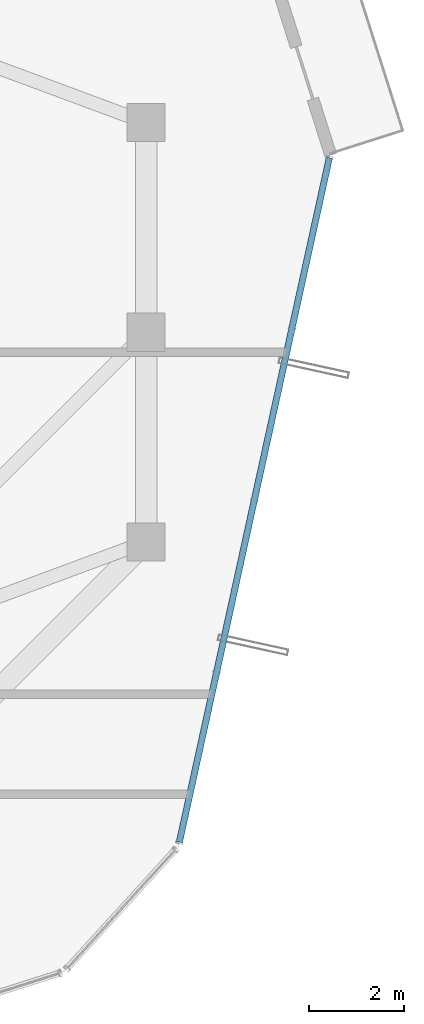
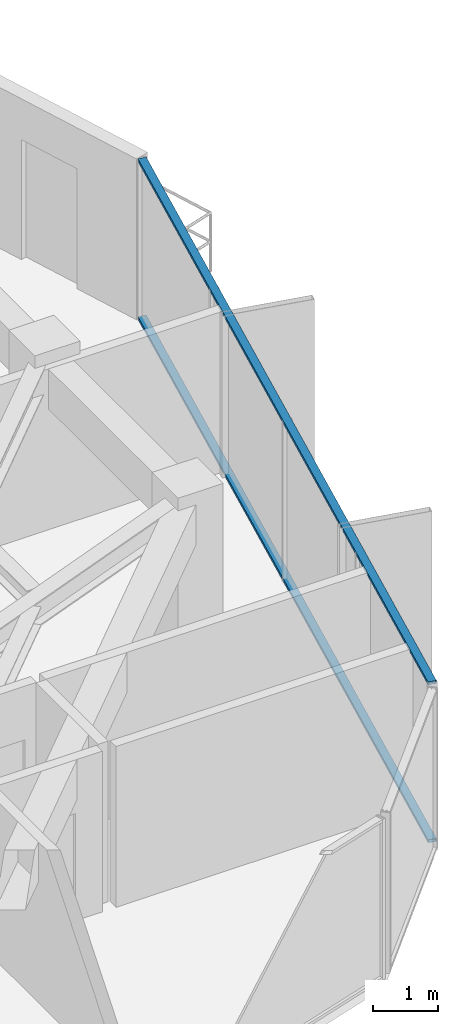
# One storey, part 18 of 28: 2 members, 1 element without a shape of its own.
"""IFC4 building model written with IfcOpenShell, lengths in metres."""

from ifc_helpers import new_model, si_unit, direction, frame, origin, origin_2d, place, context, subcontext, project, spatial, hollow_rectangle, extrude, source, transform, mapped, material, layer, layer_set, material_profile, profile_set, type_object, element, aggregate, save


model = new_model("IFC4")

# Units and contexts
model_context = context("Model", 3, precision=1e-05, world=origin(), true_north=direction((0.0, 1.0)))
body_context = subcontext(model_context, "Body", "Model", "MODEL_VIEW")
ifc_project = project(units=[si_unit("LENGTHUNIT", "METRE"), si_unit("AREAUNIT", "SQUARE_METRE"), si_unit("VOLUMEUNIT", "CUBIC_METRE"), si_unit("PLANEANGLEUNIT", "RADIAN"), si_unit("MASSUNIT", "GRAM", prefix="KILO")], contexts=[model_context])

# Site, building, storey
site_placement = place(None, origin())
site = spatial("IfcSite", under=ifc_project, at=site_placement, CompositionType="ELEMENT")
building_placement = place(site_placement, origin())
building = spatial("IfcBuilding", under=site, at=building_placement, Name="Veraguas Prism Commons", CompositionType="ELEMENT")
storey_placement = place(building_placement, frame((0.0, 0.0, 251.25)))
storey = spatial("IfcBuildingStorey", under=building, at=storey_placement, Name="L71", CompositionType="ELEMENT", Elevation=251.25)

# Curtain wall, members
ifc_material = material(Name="Anodised aluminium EN AW-6063 T6", Category="aluminium")
ifc_layer = layer(ifc_material, 0.14990234375, Name="Unitised Flush Curtain Wall Zone 4", Category="aluminium")
ifc_layer_set = layer_set([ifc_layer], Name="Anodised aluminium EN AW-6063 T6")
curtain_wall_type = type_object("IfcCurtainWallType", Name="Unitised Flush Curtain Wall Zone 4", PredefinedType="NOTDEFINED", material=ifc_layer_set)
curtain_wall_placement = place(storey_placement, origin())
curtain_wall = element("IfcCurtainWall", 1, at=curtain_wall_placement, inside=storey, type_object=curtain_wall_type, Name="Tower Facade Curtain Wall L71-F6", PredefinedType="NOTDEFINED")
ifc_material_profile = material_profile(ifc_material, hollow_rectangle(XDim=0.054931640625, YDim=0.135009765625, WallThickness=0.0029296875, at=origin_2d()), Name="AL55X135X3")
ifc_profile_set = profile_set([ifc_material_profile], Name="Anodised aluminium EN AW-6063 T6")
member_type = type_object("IfcMemberType", Name="Curtain Wall Transom Standard AL 55x135x3", PredefinedType="USERDEFINED", material=ifc_profile_set)
shared_shape = source(origin(), body_context, "Body", "SweptSolid", [
    extrude(hollow_rectangle(XDim=0.054931640625, YDim=0.135009765625, WallThickness=0.0029296875, at=origin_2d()), origin(), (0.0, 0.0, 1.0), 14.706298828125),
])
member_1_placement = place(storey_placement, frame((38.4990234375, 13.295166015625, 0.027587890625), z_axis=(0.214053825605, 0.976821866946, 0.0), x_axis=(0.0, 0.0, 1.0)))
member_1 = element("IfcMember", 2, at=member_1_placement, type_object=member_type, Name="CW-Z4 Transom 1", ObjectType="TRANSOM", PredefinedType="USERDEFINED", context=body_context, shape_type="MappedRepresentation", body=[
    mapped(shared_shape, transform((0.0, 0.0, 0.0), scale=1.0)),
])
member_2_placement = place(storey_placement, frame((38.4990234375, 13.295166015625, 2.987548828125), z_axis=(0.214053825605, 0.976821866946, 0.0), x_axis=(0.0, 0.0, 1.0)))
member_2 = element("IfcMember", 3, at=member_2_placement, type_object=member_type, Name="CW-Z4 Transom 2", ObjectType="TRANSOM", PredefinedType="USERDEFINED", context=body_context, shape_type="MappedRepresentation", body=[
    mapped(shared_shape, transform((0.0, 0.0, 0.0), scale=1.0)),
])
aggregate(curtain_wall, [member_1, member_2])

save(model, "model.ifc")
